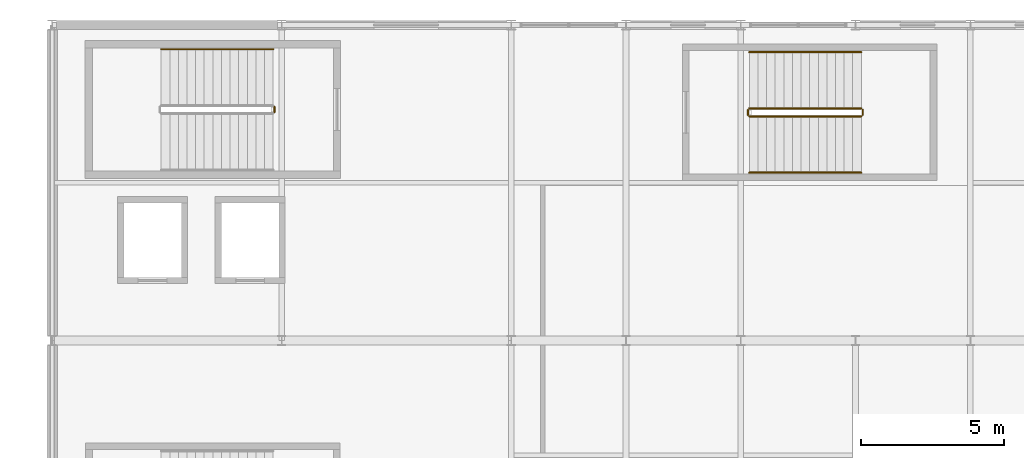
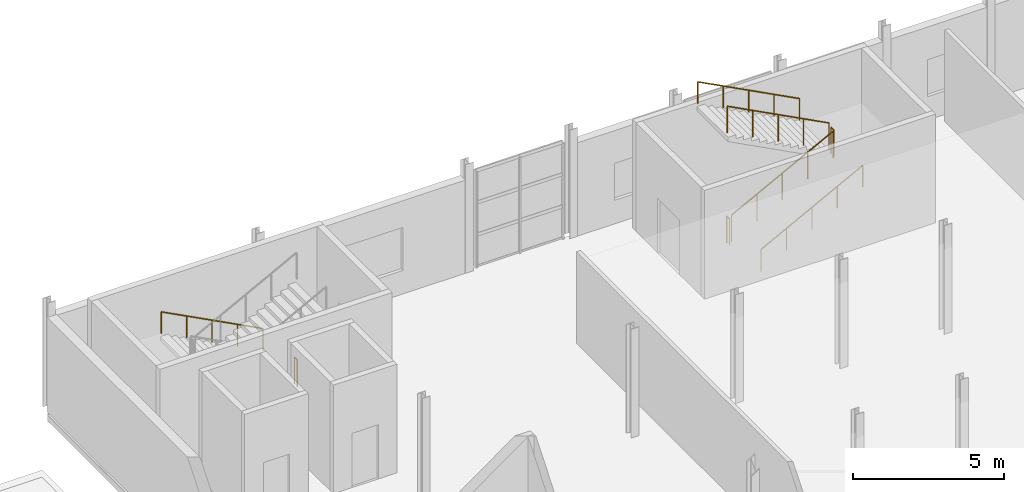
# One storey, part 150 of 153: 8 railings.
"""IFC4 building model written with IfcOpenShell, lengths in metres."""

from ifc_helpers import new_model, si_unit, derived_unit, direction, frame, origin, origin_2d, place, context, subcontext, project, spatial, circle, extrude, material, type_object, element, save


model = new_model("IFC4")

# Units and contexts
model_context = context("Model", 3, precision=1e-05, world=origin(), true_north=direction((0.0, 1.0)))
body_context = subcontext(model_context, "Body", "Model", "MODEL_VIEW")
ifc_project = project(units=[si_unit("LENGTHUNIT", "METRE"), si_unit("AREAUNIT", "SQUARE_METRE"), si_unit("VOLUMEUNIT", "CUBIC_METRE"), si_unit("PLANEANGLEUNIT", "RADIAN"), si_unit("MASSUNIT", "GRAM", prefix="KILO"), derived_unit("THERMALTRANSMITTANCEUNIT", [(si_unit("POWERUNIT", "WATT"), 1), (si_unit("LENGTHUNIT", "METRE"), -2), (si_unit("THERMODYNAMICTEMPERATUREUNIT", "KELVIN"), -1)])], contexts=[model_context])

# Site, building, storey
site_placement = place(None, origin())
site = spatial("IfcSite", under=ifc_project, at=site_placement, CompositionType="ELEMENT")
building_placement = place(site_placement, origin())
building = spatial("IfcBuilding", under=site, at=building_placement, Name="Keldorne Ridge Multi-Sports Centre", CompositionType="ELEMENT")
storey_placement = place(building_placement, frame((0.0, 0.0, 9.60009765625)))
storey = spatial("IfcBuildingStorey", under=building, at=storey_placement, Name="L02", CompositionType="ELEMENT", Elevation=9.60009765625)

# Railings
ifc_material_1 = material(Name="Laminated glass and stainless steel", Category="steel")
railing_type_1 = type_object("IfcRailingType", Name="RLG-BL-01", PredefinedType="BALUSTRADE", material=ifc_material_1)
railing_1_placement = place(storey_placement, frame((111.75, 114.139892578125, 0.0)))
element("IfcRailing", 1, at=railing_1_placement, inside=storey, type_object=railing_type_1, Name="L02 ST-01 stair guard 4", PredefinedType="BALUSTRADE", context=body_context, shape_type="SweptSolid", body=[
    extrude(circle(Radius=0.02392578125, at=origin_2d()), frame((0.0, 0.0, 1.076171875), z_axis=(0.0, -1.0, 0.0), x_axis=(1.0, 0.0, 0.0)), (0.0, 0.0, 1.0), 0.179931640625),
    extrude(circle(Radius=0.02099609375, at=origin_2d()), origin(), (0.0, 0.0, 1.0), 1.052001953125),
    extrude(circle(Radius=0.02099609375, at=origin_2d()), frame((0.0, -0.179931640625, 0.0)), (0.0, 0.0, 1.0), 1.052001953125),
])
railing_2_placement = place(storey_placement, frame((128.300048828125, 113.81005859375, 0.156982421875)))
element("IfcRailing", 2, at=railing_2_placement, inside=storey, type_object=railing_type_1, Name="L02 ST-10 stair guard 1", PredefinedType="BALUSTRADE", context=body_context, shape_type="SweptSolid", body=[
    extrude(circle(Radius=0.02392578125, at=origin_2d()), frame((0.0, 0.0, 1.076171875), z_axis=(0.885816339326, 0.0, 0.464036003974), x_axis=(0.0, 1.0, 0.0)), (0.0, 0.0, 1.0), 4.402587890625),
    extrude(circle(Radius=0.02099609375, at=origin_2d()), origin(), (0.0, 0.0, 1.0), 1.052001953125),
    extrude(circle(Radius=0.02099609375, at=origin_2d()), frame((0.97509765625, 0.0, 0.5107421875)), (0.0, 0.0, 1.0), 1.052001953125),
    extrude(circle(Radius=0.02099609375, at=origin_2d()), frame((1.949951171875, 0.0, 1.021484375)), (0.0, 0.0, 1.0), 1.052001953125),
    extrude(circle(Radius=0.02099609375, at=origin_2d()), frame((2.9248046875, 0.0, 1.5322265625)), (0.0, 0.0, 1.0), 1.052001953125),
    extrude(circle(Radius=0.02099609375, at=origin_2d()), frame((3.89990234375, 0.0, 2.04296875)), (0.0, 0.0, 1.0), 1.052001953125),
])
railing_3_placement = place(storey_placement, frame((132.25, 113.860107421875, 2.199951171875)))
element("IfcRailing", 3, at=railing_3_placement, inside=storey, type_object=railing_type_1, Name="L02 ST-10 stair guard 2", PredefinedType="BALUSTRADE", context=body_context, shape_type="SweptSolid", body=[
    extrude(circle(Radius=0.02392578125, at=origin_2d()), frame((0.0, 0.0, 1.076171875), z_axis=(0.0, 1.0, 0.0), x_axis=(-1.0, 0.0, 0.0)), (0.0, 0.0, 1.0), 0.179931640625),
    extrude(circle(Radius=0.02099609375, at=origin_2d()), origin(), (0.0, 0.0, 1.0), 1.052001953125),
    extrude(circle(Radius=0.02099609375, at=origin_2d()), frame((0.0, 0.179931640625, 0.0)), (0.0, 0.0, 1.0), 1.052001953125),
])
railing_4_placement = place(storey_placement, frame((132.199951171875, 114.090087890625, 2.35693359375)))
element("IfcRailing", 4, at=railing_4_placement, inside=storey, type_object=railing_type_1, Name="L02 ST-10 stair guard 3", PredefinedType="BALUSTRADE", context=body_context, shape_type="SweptSolid", body=[
    extrude(circle(Radius=0.02392578125, at=origin_2d()), frame((0.0, 0.0, 1.076171875), z_axis=(-0.885816339326, 0.0, 0.464036003974), x_axis=(0.0, -1.0, 0.0)), (0.0, 0.0, 1.0), 4.402587890625),
    extrude(circle(Radius=0.02099609375, at=origin_2d()), origin(), (0.0, 0.0, 1.0), 1.052001953125),
    extrude(circle(Radius=0.02099609375, at=origin_2d()), frame((-0.97509765625, 0.0, 0.5107421875)), (0.0, 0.0, 1.0), 1.052001953125),
    extrude(circle(Radius=0.02099609375, at=origin_2d()), frame((-1.949951171875, 0.0, 1.021484375)), (0.0, 0.0, 1.0), 1.052001953125),
    extrude(circle(Radius=0.02099609375, at=origin_2d()), frame((-2.9248046875, 0.0, 1.5322265625)), (0.0, 0.0, 1.0), 1.052001953125),
    extrude(circle(Radius=0.02099609375, at=origin_2d()), frame((-3.89990234375, 0.0, 2.04296875)), (0.0, 0.0, 1.0), 1.052001953125),
])
railing_5_placement = place(storey_placement, frame((128.25, 113.860107421875, 0.0)))
element("IfcRailing", 5, at=railing_5_placement, inside=storey, type_object=railing_type_1, Name="L02 ST-10 stair guard 4", PredefinedType="BALUSTRADE", context=body_context, shape_type="SweptSolid", body=[
    extrude(circle(Radius=0.02392578125, at=origin_2d()), frame((0.0, 0.0, 1.076171875), z_axis=(0.0, 1.0, 0.0), x_axis=(-1.0, 0.0, 0.0)), (0.0, 0.0, 1.0), 0.179931640625),
    extrude(circle(Radius=0.02099609375, at=origin_2d()), origin(), (0.0, 0.0, 1.0), 1.052001953125),
    extrude(circle(Radius=0.02099609375, at=origin_2d()), frame((0.0, 0.179931640625, 0.0)), (0.0, 0.0, 1.0), 1.052001953125),
])
ifc_material_2 = material(Name="Stainless steel", Category="steel")
railing_type_2 = type_object("IfcRailingType", Name="RLG-HR-01", PredefinedType="HANDRAIL", material=ifc_material_2)
railing_6_placement = place(storey_placement, frame((111.699951171875, 116.14990234375, 0.156982421875)))
element("IfcRailing", 6, at=railing_6_placement, inside=storey, type_object=railing_type_2, Name="L02 ST-01 stair handrail 1", PredefinedType="HANDRAIL", context=body_context, shape_type="SweptSolid", body=[
    extrude(circle(Radius=0.02392578125, at=origin_2d()), frame((0.0, 0.0, 0.8759765625), z_axis=(-0.885816339326, 0.0, 0.464036003974), x_axis=(0.0, -1.0, 0.0)), (0.0, 0.0, 1.0), 4.402587890625),
    extrude(circle(Radius=0.02099609375, at=origin_2d()), origin(), (0.0, 0.0, 1.0), 0.851806640625),
    extrude(circle(Radius=0.02099609375, at=origin_2d()), frame((-0.97509765625, 0.0, 0.5107421875)), (0.0, 0.0, 1.0), 0.851806640625),
    extrude(circle(Radius=0.02099609375, at=origin_2d()), frame((-1.949951171875, 0.0, 1.021484375)), (0.0, 0.0, 1.0), 0.851806640625),
    extrude(circle(Radius=0.02099609375, at=origin_2d()), frame((-2.9248046875, 0.0, 1.5322265625)), (0.0, 0.0, 1.0), 0.851806640625),
    extrude(circle(Radius=0.02099609375, at=origin_2d()), frame((-3.89990234375, 0.0, 2.04296875)), (0.0, 0.0, 1.0), 0.851806640625),
])
railing_7_placement = place(storey_placement, frame((128.300048828125, 111.85009765625, 0.156982421875)))
element("IfcRailing", 7, at=railing_7_placement, inside=storey, type_object=railing_type_2, Name="L02 ST-10 stair handrail 1", PredefinedType="HANDRAIL", context=body_context, shape_type="SweptSolid", body=[
    extrude(circle(Radius=0.02392578125, at=origin_2d()), frame((0.0, 0.0, 0.8759765625), z_axis=(0.885816339326, 0.0, 0.464036003974), x_axis=(0.0, 1.0, 0.0)), (0.0, 0.0, 1.0), 4.402587890625),
    extrude(circle(Radius=0.02099609375, at=origin_2d()), origin(), (0.0, 0.0, 1.0), 0.851806640625),
    extrude(circle(Radius=0.02099609375, at=origin_2d()), frame((0.97509765625, 0.0, 0.5107421875)), (0.0, 0.0, 1.0), 0.851806640625),
    extrude(circle(Radius=0.02099609375, at=origin_2d()), frame((1.949951171875, 0.0, 1.021484375)), (0.0, 0.0, 1.0), 0.851806640625),
    extrude(circle(Radius=0.02099609375, at=origin_2d()), frame((2.9248046875, 0.0, 1.5322265625)), (0.0, 0.0, 1.0), 0.851806640625),
    extrude(circle(Radius=0.02099609375, at=origin_2d()), frame((3.89990234375, 0.0, 2.04296875)), (0.0, 0.0, 1.0), 0.851806640625),
])
railing_8_placement = place(storey_placement, frame((132.199951171875, 116.050048828125, 2.35693359375)))
element("IfcRailing", 8, at=railing_8_placement, inside=storey, type_object=railing_type_2, Name="L02 ST-10 stair handrail 2", PredefinedType="HANDRAIL", context=body_context, shape_type="SweptSolid", body=[
    extrude(circle(Radius=0.02392578125, at=origin_2d()), frame((0.0, 0.0, 0.8759765625), z_axis=(-0.885816339326, 0.0, 0.464036003974), x_axis=(0.0, -1.0, 0.0)), (0.0, 0.0, 1.0), 4.402587890625),
    extrude(circle(Radius=0.02099609375, at=origin_2d()), origin(), (0.0, 0.0, 1.0), 0.851806640625),
    extrude(circle(Radius=0.02099609375, at=origin_2d()), frame((-0.97509765625, 0.0, 0.5107421875)), (0.0, 0.0, 1.0), 0.851806640625),
    extrude(circle(Radius=0.02099609375, at=origin_2d()), frame((-1.949951171875, 0.0, 1.021484375)), (0.0, 0.0, 1.0), 0.851806640625),
    extrude(circle(Radius=0.02099609375, at=origin_2d()), frame((-2.9248046875, 0.0, 1.5322265625)), (0.0, 0.0, 1.0), 0.851806640625),
    extrude(circle(Radius=0.02099609375, at=origin_2d()), frame((-3.89990234375, 0.0, 2.04296875)), (0.0, 0.0, 1.0), 0.851806640625),
])

save(model, "model.ifc")
